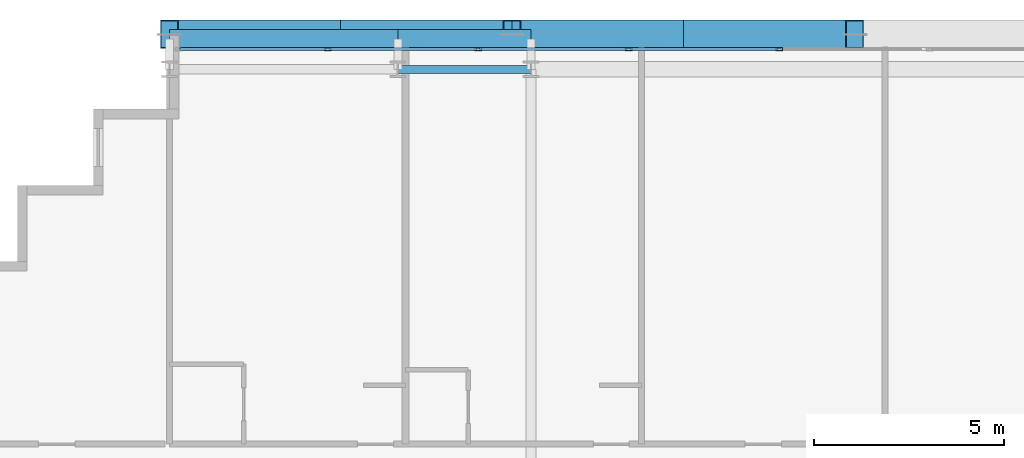
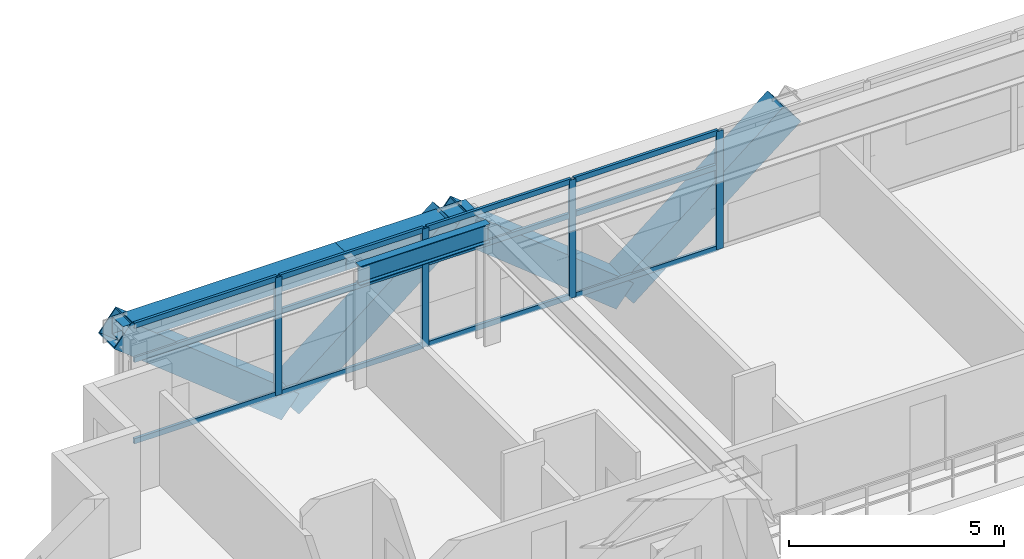
# One storey, part 18 of 35: 20 members, 3 beams, 1 element without a shape of its own.
"""IFC4 building model written with IfcOpenShell, lengths in metres."""

from ifc_helpers import new_model, si_unit, direction, frame, origin, origin_2d, place, context, subcontext, project, spatial, hollow_rectangle, i_section, extrude, source, transform, mapped, material, layer, layer_set, material_profile, profile_set, type_object, element, aggregate, save


model = new_model("IFC4")

# Units and contexts
model_context = context("Model", 3, precision=1e-05, world=origin(), true_north=direction((0.0, 1.0)))
body_context = subcontext(model_context, "Body", "Model", "MODEL_VIEW")
ifc_project = project(units=[si_unit("LENGTHUNIT", "METRE"), si_unit("AREAUNIT", "SQUARE_METRE"), si_unit("VOLUMEUNIT", "CUBIC_METRE"), si_unit("PLANEANGLEUNIT", "RADIAN"), si_unit("MASSUNIT", "GRAM", prefix="KILO")], contexts=[model_context])

# Site, building, storey
site_placement = place(None, origin())
site = spatial("IfcSite", under=ifc_project, at=site_placement, CompositionType="ELEMENT")
building_placement = place(site_placement, origin())
building = spatial("IfcBuilding", under=site, at=building_placement, Name="Ocotamira Hotel", CompositionType="ELEMENT")
storey_placement = place(building_placement, frame((0.0, 0.0, 122.39990234375)))
storey = spatial("IfcBuildingStorey", under=building, at=storey_placement, Name="L30", CompositionType="ELEMENT", Elevation=122.39990234375)

# Beams
ifc_material_1 = material(Name="Steel ASTM A992 Grade 50", Category="steel")
ifc_material_profile_1 = material_profile(ifc_material_1, i_section(OverallWidth=0.2099609375, OverallDepth=0.537109375, WebThickness=0.010986328125, FlangeThickness=0.017333984375, FilletRadius=0.012939453125, at=origin_2d()), Name="W21X68")
ifc_profile_set_1 = profile_set([ifc_material_profile_1], Name="Steel ASTM A992 Grade 50")
beam_type_1 = type_object("IfcBeamType", Name="BM-SEC-W21X68", PredefinedType="JOIST", material=ifc_profile_set_1)
shared_shape_1 = source(origin(), body_context, "Body", "SweptSolid", [
    extrude(i_section(OverallWidth=0.2099609375, OverallDepth=0.537109375, WebThickness=0.010986328125, FlangeThickness=0.017333984375, FilletRadius=0.012939453125, at=origin_2d()), origin(), (0.0, 0.0, 1.0), 3.5),
])
beam_1_placement = place(storey_placement, frame((20.0, 49.050048828125, 3.091552734375), z_axis=(1.0, 0.0, 0.0), x_axis=(0.0, 1.0, 0.0)))
element("IfcBeam", 1, at=beam_1_placement, inside=storey, type_object=beam_type_1, Name="L30 Girder Y49.05 X20-23.5", PredefinedType="JOIST", context=body_context, shape_type="MappedRepresentation", body=[
    mapped(shared_shape_1, transform((0.0, 0.0, 0.0), scale=1.0)),
])
ifc_material_2 = material(Name="Steel ASTM A500 Grade C", Category="steel")
ifc_material_profile_2 = material_profile(ifc_material_2, hollow_rectangle(XDim=0.5, YDim=0.5, WallThickness=0.02001953125, at=origin_2d()), Name="HSS500X500X20")
ifc_profile_set_2 = profile_set([ifc_material_profile_2], Name="Steel ASTM A500 Grade C")
beam_type_2 = type_object("IfcBeamType", Name="BM-SPAN-HSS500", PredefinedType="USERDEFINED", material=ifc_profile_set_2)
shared_shape_2 = source(origin(), body_context, "Body", "SweptSolid", [
    extrude(hollow_rectangle(XDim=0.5, YDim=0.5, WallThickness=0.02001953125, at=origin_2d()), origin(), (0.0, 0.0, 1.0), 6.0),
])
beam_2_placement = place(storey_placement, frame((14.0, 49.85009765625, 3.110107421875), z_axis=(1.0, 0.0, 0.0), x_axis=(0.0, 1.0, 0.0)))
element("IfcBeam", 2, at=beam_2_placement, inside=storey, type_object=beam_type_2, Name="L30 Edge Spandrel N X14-20", ObjectType="SPANDREL", PredefinedType="USERDEFINED", context=body_context, shape_type="MappedRepresentation", body=[
    mapped(shared_shape_2, transform((0.0, 0.0, 0.0), scale=1.0)),
])
shared_shape_3 = source(origin(), body_context, "Body", "SweptSolid", [
    extrude(hollow_rectangle(XDim=0.5, YDim=0.5, WallThickness=0.02001953125, at=origin_2d()), origin(), (0.0, 0.0, 1.0), 3.5),
])
beam_3_placement = place(storey_placement, frame((20.0, 49.85009765625, 3.110107421875), z_axis=(1.0, 0.0, 0.0), x_axis=(0.0, 1.0, 0.0)))
element("IfcBeam", 3, at=beam_3_placement, inside=storey, type_object=beam_type_2, Name="L30 Edge Spandrel N X20-23.5", ObjectType="SPANDREL", PredefinedType="USERDEFINED", context=body_context, shape_type="MappedRepresentation", body=[
    mapped(shared_shape_3, transform((0.0, 0.0, 0.0), scale=1.0)),
])

# Members
ifc_material_3 = material(Name="Pale-metal coated steel ASTM A913 Grade 65", Category="steel")
ifc_material_profile_3 = material_profile(ifc_material_3, hollow_rectangle(XDim=0.75, YDim=0.75, WallThickness=0.028076171875, at=origin_2d()), Name="BOX750X750X28")
ifc_profile_set_3 = profile_set([ifc_material_profile_3], Name="Pale-metal coated steel ASTM A913 Grade 65")
member_type_1 = type_object("IfcMemberType", Name="MEM-EXO-BOX750", PredefinedType="BRACE", material=ifc_profile_set_3)
shared_shape_4 = source(origin(), body_context, "Body", "SweptSolid", [
    extrude(hollow_rectangle(XDim=0.75, YDim=0.75, WallThickness=0.028076171875, at=origin_2d()), origin(), (0.0, 0.0, 1.0), 5.762939453125),
])
for number, where, z_axis, x_axis, name in (
    (4, (18.5, 49.969970703125, -0.489990234375), (-0.780860543151, 0.0, 0.624705380279), (0.0, -1.0, 0.0), "L30 Exoskeleton Diagrid N0.1"),
    (5, (18.5, 49.969970703125, -0.489990234375), (0.780860543151, 0.0, 0.624705380279), (0.0, 1.0, 0.0), "L30 Exoskeleton Diagrid N0.2"),
    (6, (27.5, 49.969970703125, -0.489990234375), (-0.780860543151, 0.0, 0.624705380279), (0.0, -1.0, 0.0), "L30 Exoskeleton Diagrid N1.1"),
    (7, (27.5, 49.969970703125, -0.489990234375), (0.780860543151, 0.0, 0.624705380279), (0.0, 1.0, 0.0), "L30 Exoskeleton Diagrid N1.2"),
):
    element("IfcMember", number, at=place(storey_placement, frame(where, z_axis=z_axis, x_axis=x_axis)), inside=storey, type_object=member_type_1, Name=name, PredefinedType="BRACE", context=body_context, shape_type="MappedRepresentation", body=[
        mapped(shared_shape_4, transform((0.0, 0.0, 0.0), scale=1.0)),
    ])

# Curtain wall, members
ifc_material_4 = material(Name="Anodised pale-metal aluminium and solar glass", Category="aluminium")
ifc_layer = layer(ifc_material_4, 0.179931640625)
ifc_layer_set = layer_set([ifc_layer], Name="Anodised pale-metal aluminium and solar glass")
curtain_wall_type = type_object("IfcCurtainWallType", Name="CW-SYS3-Z2", PredefinedType="NOTDEFINED", material=ifc_layer_set)
curtain_wall_placement = place(storey_placement, origin())
curtain_wall = element("IfcCurtainWall", 8, at=curtain_wall_placement, inside=storey, type_object=curtain_wall_type, Name="L30 Curtain Wall CW-3 CW-L30-N", PredefinedType="NOTDEFINED")
ifc_material_5 = material(Name="Anodised pale-metal aluminium 6063-T6", Category="aluminium")
ifc_material_profile_4 = material_profile(ifc_material_5, hollow_rectangle(XDim=0.074951171875, YDim=0.14990234375, WallThickness=0.006103515625, at=origin_2d()), Name="HSS150X75X6")
ifc_profile_set_4 = profile_set([ifc_material_profile_4], Name="Anodised pale-metal aluminium 6063-T6")
member_type_2 = type_object("IfcMemberType", Name="CWT-150X75", PredefinedType="USERDEFINED", material=ifc_profile_set_4)
shared_shape_5 = source(origin(), body_context, "Body", "SweptSolid", [
    extrude(hollow_rectangle(XDim=0.074951171875, YDim=0.14990234375, WallThickness=0.006103515625, at=origin_2d()), origin(), (0.0, 0.0, 1.0), 3.83544921875),
])
member_1_placement = place(storey_placement, frame((14.280029296875, 49.580078125, 0.03759765625), z_axis=(1.0, 0.0, 0.0), x_axis=(0.0, 1.0, 0.0)))
member_1 = element("IfcMember", 9, at=member_1_placement, type_object=member_type_2, Name="CW-3 transom 1.1", ObjectType="TRANSOM", PredefinedType="USERDEFINED", context=body_context, shape_type="MappedRepresentation", body=[
    mapped(shared_shape_5, transform((0.0, 0.0, 0.0), scale=1.0)),
])
member_2_placement = place(storey_placement, frame((14.280029296875, 49.580078125, 2.35009765625), z_axis=(1.0, 0.0, 0.0), x_axis=(0.0, 1.0, 0.0)))
member_2 = element("IfcMember", 10, at=member_2_placement, type_object=member_type_2, Name="CW-3 transom 1.2", ObjectType="TRANSOM", PredefinedType="USERDEFINED", context=body_context, shape_type="MappedRepresentation", body=[
    mapped(shared_shape_5, transform((0.0, 0.0, 0.0), scale=1.0)),
])
member_3_placement = place(storey_placement, frame((14.280029296875, 49.580078125, 3.322509765625), z_axis=(1.0, 0.0, 0.0), x_axis=(0.0, 1.0, 0.0)))
member_3 = element("IfcMember", 11, at=member_3_placement, type_object=member_type_2, Name="CW-3 transom 1.3", ObjectType="TRANSOM", PredefinedType="USERDEFINED", context=body_context, shape_type="MappedRepresentation", body=[
    mapped(shared_shape_5, transform((0.0, 0.0, 0.0), scale=1.0)),
])
shared_shape_6 = source(origin(), body_context, "Body", "SweptSolid", [
    extrude(hollow_rectangle(XDim=0.074951171875, YDim=0.14990234375, WallThickness=0.006103515625, at=origin_2d()), origin(), (0.0, 0.0, 1.0), 3.87548828125),
])
member_4_placement = place(storey_placement, frame((18.195556640625, 49.580078125, 0.03759765625), z_axis=(1.0, 0.0, 0.0), x_axis=(0.0, 1.0, 0.0)))
member_4 = element("IfcMember", 12, at=member_4_placement, type_object=member_type_2, Name="CW-3 transom 2.1", ObjectType="TRANSOM", PredefinedType="USERDEFINED", context=body_context, shape_type="MappedRepresentation", body=[
    mapped(shared_shape_6, transform((0.0, 0.0, 0.0), scale=1.0)),
])
member_5_placement = place(storey_placement, frame((18.195556640625, 49.580078125, 2.35009765625), z_axis=(1.0, 0.0, 0.0), x_axis=(0.0, 1.0, 0.0)))
member_5 = element("IfcMember", 13, at=member_5_placement, type_object=member_type_2, Name="CW-3 transom 2.2", ObjectType="TRANSOM", PredefinedType="USERDEFINED", context=body_context, shape_type="MappedRepresentation", body=[
    mapped(shared_shape_6, transform((0.0, 0.0, 0.0), scale=1.0)),
])
member_6_placement = place(storey_placement, frame((18.195556640625, 49.580078125, 3.322509765625), z_axis=(1.0, 0.0, 0.0), x_axis=(0.0, 1.0, 0.0)))
member_6 = element("IfcMember", 14, at=member_6_placement, type_object=member_type_2, Name="CW-3 transom 2.3", ObjectType="TRANSOM", PredefinedType="USERDEFINED", context=body_context, shape_type="MappedRepresentation", body=[
    mapped(shared_shape_6, transform((0.0, 0.0, 0.0), scale=1.0)),
])
member_7_placement = place(storey_placement, frame((22.151123046875, 49.580078125, 0.03759765625), z_axis=(1.0, 0.0, 0.0), x_axis=(0.0, 1.0, 0.0)))
member_7 = element("IfcMember", 15, at=member_7_placement, type_object=member_type_2, Name="CW-3 transom 3.1", ObjectType="TRANSOM", PredefinedType="USERDEFINED", context=body_context, shape_type="MappedRepresentation", body=[
    mapped(shared_shape_6, transform((0.0, 0.0, 0.0), scale=1.0)),
])
member_8_placement = place(storey_placement, frame((22.151123046875, 49.580078125, 2.35009765625), z_axis=(1.0, 0.0, 0.0), x_axis=(0.0, 1.0, 0.0)))
member_8 = element("IfcMember", 16, at=member_8_placement, type_object=member_type_2, Name="CW-3 transom 3.2", ObjectType="TRANSOM", PredefinedType="USERDEFINED", context=body_context, shape_type="MappedRepresentation", body=[
    mapped(shared_shape_6, transform((0.0, 0.0, 0.0), scale=1.0)),
])
member_9_placement = place(storey_placement, frame((22.151123046875, 49.580078125, 3.322509765625), z_axis=(1.0, 0.0, 0.0), x_axis=(0.0, 1.0, 0.0)))
member_9 = element("IfcMember", 17, at=member_9_placement, type_object=member_type_2, Name="CW-3 transom 3.3", ObjectType="TRANSOM", PredefinedType="USERDEFINED", context=body_context, shape_type="MappedRepresentation", body=[
    mapped(shared_shape_6, transform((0.0, 0.0, 0.0), scale=1.0)),
])
member_10_placement = place(storey_placement, frame((26.106689453125, 49.580078125, 0.03759765625), z_axis=(1.0, 0.0, 0.0), x_axis=(0.0, 1.0, 0.0)))
member_10 = element("IfcMember", 18, at=member_10_placement, type_object=member_type_2, Name="CW-3 transom 4.1", ObjectType="TRANSOM", PredefinedType="USERDEFINED", context=body_context, shape_type="MappedRepresentation", body=[
    mapped(shared_shape_6, transform((0.0, 0.0, 0.0), scale=1.0)),
])
member_11_placement = place(storey_placement, frame((26.106689453125, 49.580078125, 2.35009765625), z_axis=(1.0, 0.0, 0.0), x_axis=(0.0, 1.0, 0.0)))
member_11 = element("IfcMember", 19, at=member_11_placement, type_object=member_type_2, Name="CW-3 transom 4.2", ObjectType="TRANSOM", PredefinedType="USERDEFINED", context=body_context, shape_type="MappedRepresentation", body=[
    mapped(shared_shape_6, transform((0.0, 0.0, 0.0), scale=1.0)),
])
member_12_placement = place(storey_placement, frame((26.106689453125, 49.580078125, 3.322509765625), z_axis=(1.0, 0.0, 0.0), x_axis=(0.0, 1.0, 0.0)))
member_12 = element("IfcMember", 20, at=member_12_placement, type_object=member_type_2, Name="CW-3 transom 4.3", ObjectType="TRANSOM", PredefinedType="USERDEFINED", context=body_context, shape_type="MappedRepresentation", body=[
    mapped(shared_shape_6, transform((0.0, 0.0, 0.0), scale=1.0)),
])
ifc_material_profile_5 = material_profile(ifc_material_5, hollow_rectangle(XDim=0.080078125, YDim=0.179931640625, WallThickness=0.006103515625, at=origin_2d()), Name="HSS180X80X6")
ifc_profile_set_5 = profile_set([ifc_material_profile_5], Name="Anodised pale-metal aluminium 6063-T6")
member_type_3 = type_object("IfcMemberType", Name="CWM-180X75", PredefinedType="MULLION", material=ifc_profile_set_5)
shared_shape_7 = source(origin(), body_context, "Body", "SweptSolid", [
    extrude(hollow_rectangle(XDim=0.080078125, YDim=0.179931640625, WallThickness=0.006103515625, at=origin_2d()), origin(), (0.0, 0.0, 1.0), 3.360107421875),
])
member_13_placement = place(storey_placement, frame((18.155517578125, 49.580078125, 0.0), z_axis=(0.0, 0.0, 1.0), x_axis=(0.0, 1.0, 0.0)))
member_13 = element("IfcMember", 21, at=member_13_placement, type_object=member_type_3, Name="CW-3 mullion 2", PredefinedType="MULLION", context=body_context, shape_type="MappedRepresentation", body=[
    mapped(shared_shape_7, transform((0.0, 0.0, 0.0), scale=1.0)),
])
member_14_placement = place(storey_placement, frame((22.111083984375, 49.580078125, 0.0), z_axis=(0.0, 0.0, 1.0), x_axis=(0.0, 1.0, 0.0)))
member_14 = element("IfcMember", 22, at=member_14_placement, type_object=member_type_3, Name="CW-3 mullion 3", PredefinedType="MULLION", context=body_context, shape_type="MappedRepresentation", body=[
    mapped(shared_shape_7, transform((0.0, 0.0, 0.0), scale=1.0)),
])
member_15_placement = place(storey_placement, frame((26.066650390625, 49.580078125, 0.0), z_axis=(0.0, 0.0, 1.0), x_axis=(0.0, 1.0, 0.0)))
member_15 = element("IfcMember", 23, at=member_15_placement, type_object=member_type_3, Name="CW-3 mullion 4", PredefinedType="MULLION", context=body_context, shape_type="MappedRepresentation", body=[
    mapped(shared_shape_7, transform((0.0, 0.0, 0.0), scale=1.0)),
])
member_16_placement = place(storey_placement, frame((30.022216796875, 49.580078125, 0.0), z_axis=(0.0, 0.0, 1.0), x_axis=(0.0, 1.0, 0.0)))
member_16 = element("IfcMember", 24, at=member_16_placement, type_object=member_type_3, Name="CW-3 mullion 5", PredefinedType="MULLION", context=body_context, shape_type="MappedRepresentation", body=[
    mapped(shared_shape_7, transform((0.0, 0.0, 0.0), scale=1.0)),
])
aggregate(curtain_wall, [member_13, member_14, member_15, member_16, member_1, member_2, member_3, member_4, member_5, member_6, member_7, member_8, member_9, member_10, member_11, member_12])

save(model, "model.ifc")
